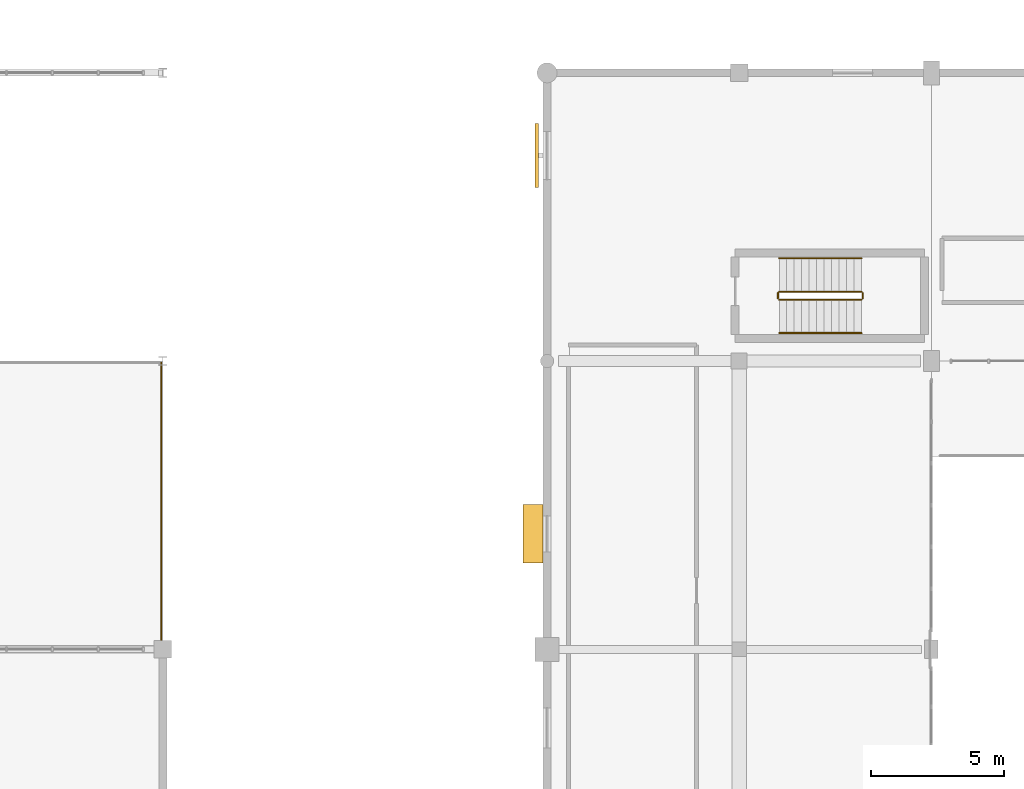
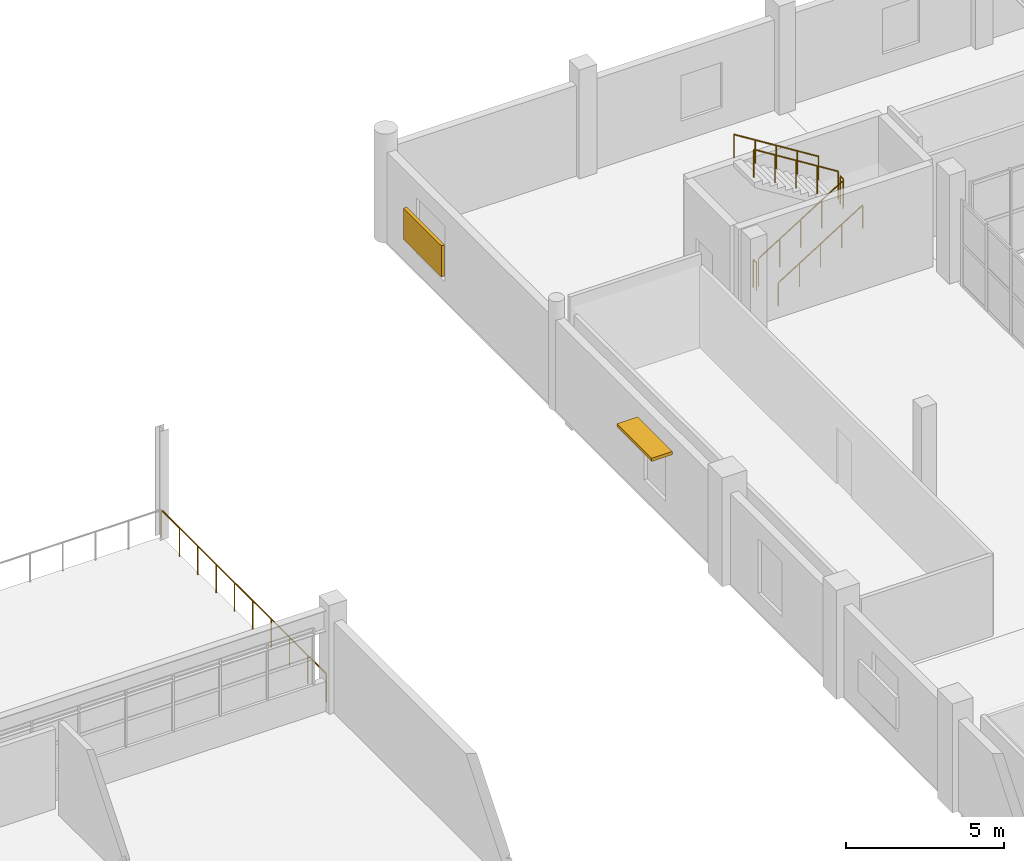
# One storey, part 83 of 92: 7 railings, 2 shading devices.
"""IFC4 building model written with IfcOpenShell, lengths in metres."""

from ifc_helpers import new_model, si_unit, direction, frame, origin, origin_2d, place, context, subcontext, project, spatial, rectangle, circle, extrude, material, layer, layer_set, type_object, element, save


model = new_model("IFC4")

# Units and contexts
model_context = context("Model", 3, precision=1e-05, world=origin(), true_north=direction((0.0, 1.0)))
body_context = subcontext(model_context, "Body", "Model", "MODEL_VIEW")
ifc_project = project(units=[si_unit("LENGTHUNIT", "METRE"), si_unit("AREAUNIT", "SQUARE_METRE"), si_unit("VOLUMEUNIT", "CUBIC_METRE"), si_unit("PLANEANGLEUNIT", "RADIAN"), si_unit("MASSUNIT", "GRAM", prefix="KILO")], contexts=[model_context])

# Site, building, storey
site_placement = place(None, origin())
site = spatial("IfcSite", under=ifc_project, at=site_placement, CompositionType="ELEMENT")
building_placement = place(site_placement, origin())
building = spatial("IfcBuilding", under=site, at=building_placement, Name="Solanera Park Tramway Depot", CompositionType="ELEMENT")
storey_placement = place(building_placement, frame((0.0, 0.0, 4.800048828125)))
storey = spatial("IfcBuildingStorey", under=building, at=storey_placement, Name="L01", CompositionType="ELEMENT", Elevation=4.800048828125)

# Railings
ifc_material_1 = material(Name="Powder-coated galvanised steel balustrade", Category="steel")
ifc_layer_1 = layer(ifc_material_1, 0.06005859375)
ifc_layer_set_1 = layer_set([ifc_layer_1], Name="Powder-coated galvanised steel balustrade")
railing_type_1 = type_object("IfcRailingType", Name="Classical Wrought-Style Balustrade 1120", PredefinedType="BALUSTRADE", material=ifc_layer_set_1)
railing_1_placement = place(storey_placement, frame((93.5400390625, 43.139892578125, 0.0)))
element("IfcRailing", 1, at=railing_1_placement, inside=storey, type_object=railing_type_1, Name="L01 Perimeter Deck Balustrade #013", PredefinedType="BALUSTRADE", context=body_context, shape_type="SweptSolid", body=[
    extrude(circle(Radius=0.02392578125, at=origin_2d()), frame((0.0, 0.0, 1.09619140625), z_axis=(0.0, -1.0, 0.0), x_axis=(1.0, 0.0, 0.0)), (0.0, 0.0, 1.0), 10.419921875),
    extrude(circle(Radius=0.02099609375, at=origin_2d()), origin(), (0.0, 0.0, 1.0), 1.072021484375),
    extrude(circle(Radius=0.02099609375, at=origin_2d()), frame((0.0, -1.15771484375, 0.0)), (0.0, 0.0, 1.0), 1.072021484375),
    extrude(circle(Radius=0.02099609375, at=origin_2d()), frame((0.0, -2.3154296875, 0.0)), (0.0, 0.0, 1.0), 1.072021484375),
    extrude(circle(Radius=0.02099609375, at=origin_2d()), frame((0.0, -3.473388671875, 0.0)), (0.0, 0.0, 1.0), 1.072021484375),
    extrude(circle(Radius=0.02099609375, at=origin_2d()), frame((0.0, -4.631103515625, 0.0)), (0.0, 0.0, 1.0), 1.072021484375),
    extrude(circle(Radius=0.02099609375, at=origin_2d()), frame((0.0, -5.788818359375, 0.0)), (0.0, 0.0, 1.0), 1.072021484375),
    extrude(circle(Radius=0.02099609375, at=origin_2d()), frame((0.0, -6.946533203125, 0.0)), (0.0, 0.0, 1.0), 1.072021484375),
    extrude(circle(Radius=0.02099609375, at=origin_2d()), frame((0.0, -8.1044921875, 0.0)), (0.0, 0.0, 1.0), 1.072021484375),
    extrude(circle(Radius=0.02099609375, at=origin_2d()), frame((0.0, -9.26220703125, 0.0)), (0.0, 0.0, 1.0), 1.072021484375),
    extrude(circle(Radius=0.02099609375, at=origin_2d()), frame((0.0, -10.419921875, 0.0)), (0.0, 0.0, 1.0), 1.072021484375),
])
ifc_material_2 = material(Name="Brushed stainless steel 316 handrail", Category="steel")
ifc_layer_2 = layer(ifc_material_2, 0.050048828125)
ifc_layer_set_2 = layer_set([ifc_layer_2], Name="Brushed stainless steel 316 handrail")
railing_type_2 = type_object("IfcRailingType", Name="Stair Pitch Tubular Handrail 920", PredefinedType="HANDRAIL", material=ifc_layer_set_2)
railing_2_placement = place(storey_placement, frame((116.699951171875, 44.25, 0.175048828125)))
element("IfcRailing", 2, at=railing_2_placement, inside=storey, type_object=railing_type_2, Name="ST-07 L01 Pitch Handrail 1", PredefinedType="HANDRAIL", context=body_context, shape_type="SweptSolid", body=[
    extrude(circle(Radius=0.02392578125, at=origin_2d()), frame((0.0, 0.0, 0.89599609375), z_axis=(0.848028513186, 0.0, 0.529950602248), x_axis=(0.0, 1.0, 0.0)), (0.0, 0.0, 1.0), 3.632080078125),
    extrude(circle(Radius=0.02099609375, at=origin_2d()), origin(), (0.0, 0.0, 1.0), 0.871826171875),
    extrude(circle(Radius=0.02099609375, at=origin_2d()), frame((0.77001953125, 0.0, 0.481201171875)), (0.0, 0.0, 1.0), 0.871826171875),
    extrude(circle(Radius=0.02099609375, at=origin_2d()), frame((1.5400390625, 0.0, 0.96240234375)), (0.0, 0.0, 1.0), 0.871826171875),
    extrude(circle(Radius=0.02099609375, at=origin_2d()), frame((2.31005859375, 0.0, 1.443603515625)), (0.0, 0.0, 1.0), 0.871826171875),
    extrude(circle(Radius=0.02099609375, at=origin_2d()), frame((3.080078125, 0.0, 1.9248046875)), (0.0, 0.0, 1.0), 0.871826171875),
])
railing_3_placement = place(storey_placement, frame((119.780029296875, 47.050048828125, 2.27490234375)))
element("IfcRailing", 3, at=railing_3_placement, inside=storey, type_object=railing_type_2, Name="ST-07 L01 Pitch Handrail 2", PredefinedType="HANDRAIL", context=body_context, shape_type="SweptSolid", body=[
    extrude(circle(Radius=0.02392578125, at=origin_2d()), frame((0.0, 0.0, 0.89599609375), z_axis=(-0.847998304005, 0.0, 0.529998940003), x_axis=(0.0, -1.0, 0.0)), (0.0, 0.0, 1.0), 3.632080078125),
    extrude(circle(Radius=0.02099609375, at=origin_2d()), origin(), (0.0, 0.0, 1.0), 0.871826171875),
    extrude(circle(Radius=0.02099609375, at=origin_2d()), frame((-0.77001953125, 0.0, 0.481201171875)), (0.0, 0.0, 1.0), 0.871826171875),
    extrude(circle(Radius=0.02099609375, at=origin_2d()), frame((-1.5400390625, 0.0, 0.96240234375)), (0.0, 0.0, 1.0), 0.871826171875),
    extrude(circle(Radius=0.02099609375, at=origin_2d()), frame((-2.31005859375, 0.0, 1.44384765625)), (0.0, 0.0, 1.0), 0.871826171875),
    extrude(circle(Radius=0.02099609375, at=origin_2d()), frame((-3.080078125, 0.0, 1.925048828125)), (0.0, 0.0, 1.0), 0.871826171875),
])
ifc_material_3 = material(Name="Steel AS/NZS 1163 Grade C350L0", Category="steel")
ifc_layer_3 = layer(ifc_material_3, 0.06005859375)
ifc_layer_set_3 = layer_set([ifc_layer_3], Name="Steel AS/NZS 1163 Grade C350L0")
railing_type_3 = type_object("IfcRailingType", Name="Stairwell Guardrail 1100", PredefinedType="GUARDRAIL", material=ifc_layer_set_3)
railing_4_placement = place(storey_placement, frame((116.699951171875, 45.5, 0.175048828125)))
element("IfcRailing", 4, at=railing_4_placement, inside=storey, type_object=railing_type_3, Name="ST-07 L01 Well Guard 1", PredefinedType="GUARDRAIL", context=body_context, shape_type="SweptSolid", body=[
    extrude(circle(Radius=0.02392578125, at=origin_2d()), frame((0.0, 0.0, 1.076171875), z_axis=(0.848028513186, 0.0, 0.529950602248), x_axis=(0.0, 1.0, 0.0)), (0.0, 0.0, 1.0), 3.632080078125),
    extrude(circle(Radius=0.02099609375, at=origin_2d()), origin(), (0.0, 0.0, 1.0), 1.052001953125),
    extrude(circle(Radius=0.02099609375, at=origin_2d()), frame((0.77001953125, 0.0, 0.481201171875)), (0.0, 0.0, 1.0), 1.052001953125),
    extrude(circle(Radius=0.02099609375, at=origin_2d()), frame((1.5400390625, 0.0, 0.96240234375)), (0.0, 0.0, 1.0), 1.052001953125),
    extrude(circle(Radius=0.02099609375, at=origin_2d()), frame((2.31005859375, 0.0, 1.443603515625)), (0.0, 0.0, 1.0), 1.052001953125),
    extrude(circle(Radius=0.02099609375, at=origin_2d()), frame((3.080078125, 0.0, 1.9248046875)), (0.0, 0.0, 1.0), 1.052001953125),
])
railing_5_placement = place(storey_placement, frame((119.830078125, 45.550048828125, 2.099853515625)))
element("IfcRailing", 5, at=railing_5_placement, inside=storey, type_object=railing_type_3, Name="ST-07 L01 Well Guard 2", PredefinedType="GUARDRAIL", context=body_context, shape_type="SweptSolid", body=[
    extrude(circle(Radius=0.02392578125, at=origin_2d()), frame((0.0, 0.0, 1.076171875), z_axis=(0.0, 1.0, 0.0), x_axis=(-1.0, 0.0, 0.0)), (0.0, 0.0, 1.0), 0.199951171875),
    extrude(circle(Radius=0.02099609375, at=origin_2d()), origin(), (0.0, 0.0, 1.0), 1.052001953125),
    extrude(circle(Radius=0.02099609375, at=origin_2d()), frame((0.0, 0.199951171875, 0.0)), (0.0, 0.0, 1.0), 1.052001953125),
])
railing_6_placement = place(storey_placement, frame((119.780029296875, 45.800048828125, 2.27490234375)))
element("IfcRailing", 6, at=railing_6_placement, inside=storey, type_object=railing_type_3, Name="ST-07 L01 Well Guard 3", PredefinedType="GUARDRAIL", context=body_context, shape_type="SweptSolid", body=[
    extrude(circle(Radius=0.02392578125, at=origin_2d()), frame((0.0, 0.0, 1.076171875), z_axis=(-0.847998304005, 0.0, 0.529998940003), x_axis=(0.0, -1.0, 0.0)), (0.0, 0.0, 1.0), 3.632080078125),
    extrude(circle(Radius=0.02099609375, at=origin_2d()), origin(), (0.0, 0.0, 1.0), 1.052001953125),
    extrude(circle(Radius=0.02099609375, at=origin_2d()), frame((-0.77001953125, 0.0, 0.481201171875)), (0.0, 0.0, 1.0), 1.052001953125),
    extrude(circle(Radius=0.02099609375, at=origin_2d()), frame((-1.5400390625, 0.0, 0.96240234375)), (0.0, 0.0, 1.0), 1.052001953125),
    extrude(circle(Radius=0.02099609375, at=origin_2d()), frame((-2.31005859375, 0.0, 1.44384765625)), (0.0, 0.0, 1.0), 1.052001953125),
    extrude(circle(Radius=0.02099609375, at=origin_2d()), frame((-3.080078125, 0.0, 1.925048828125)), (0.0, 0.0, 1.0), 1.052001953125),
])
railing_7_placement = place(storey_placement, frame((116.64990234375, 45.550048828125, 0.0)))
element("IfcRailing", 7, at=railing_7_placement, inside=storey, type_object=railing_type_3, Name="ST-07 L01 Well Guard 4", PredefinedType="GUARDRAIL", context=body_context, shape_type="SweptSolid", body=[
    extrude(circle(Radius=0.02392578125, at=origin_2d()), frame((0.0, 0.0, 1.076171875), z_axis=(0.0, 1.0, 0.0), x_axis=(-1.0, 0.0, 0.0)), (0.0, 0.0, 1.0), 0.199951171875),
    extrude(circle(Radius=0.02099609375, at=origin_2d()), origin(), (0.0, 0.0, 1.0), 1.052001953125),
    extrude(circle(Radius=0.02099609375, at=origin_2d()), frame((0.0, 0.199951171875, 0.0)), (0.0, 0.0, 1.0), 1.052001953125),
])

# Shading devices
ifc_material_4 = material(Name="Extruded terracotta brise-soleil hood", Category="masonry")
shading_device_type_1 = type_object("IfcShadingDeviceType", Name="Terracotta Brise-Soleil Sunshade Hood 2200x750", PredefinedType="USERDEFINED", material=ifc_material_4)
shading_device_1_placement = place(storey_placement, frame((107.47509765625, 36.72509765625, 2.769775390625), z_axis=(0.0, 0.0, 1.0), x_axis=(0.0, -1.0, 0.0)))
element("IfcShadingDevice", 8, at=shading_device_1_placement, inside=storey, type_object=shading_device_type_1, Name="Terracotta Brise-Soleil Sunshade #025", ObjectType="SUNSHADE", PredefinedType="USERDEFINED", context=body_context, shape_type="SweptSolid", body=[
    extrude(rectangle(XDim=2.199951171875, YDim=0.75, at=origin_2d()), origin(), (0.0, 0.0, 1.0), 0.1201171875),
])
ifc_material_5 = material(Name="Powder-coated aluminium aerofoil louvre", Category="aluminium")
shading_device_type_2 = type_object("IfcShadingDeviceType", Name="Timber-Look Aluminium Jalousie Louvre 2400x1200", PredefinedType="JALOUSIE", material=ifc_material_5)
shading_device_2_placement = place(storey_placement, frame((107.610107421875, 50.89990234375, 1.19482421875), z_axis=(0.0, 0.0, 1.0), x_axis=(0.0, -1.0, 0.0)))
element("IfcShadingDevice", 9, at=shading_device_2_placement, inside=storey, type_object=shading_device_type_2, Name="Jalousie Louvre Screen #024", PredefinedType="JALOUSIE", context=body_context, shape_type="SweptSolid", body=[
    extrude(rectangle(XDim=2.39990234375, YDim=0.1201171875, at=origin_2d()), origin(), (0.0, 0.0, 1.0), 1.199951171875),
])

save(model, "model.ifc")
